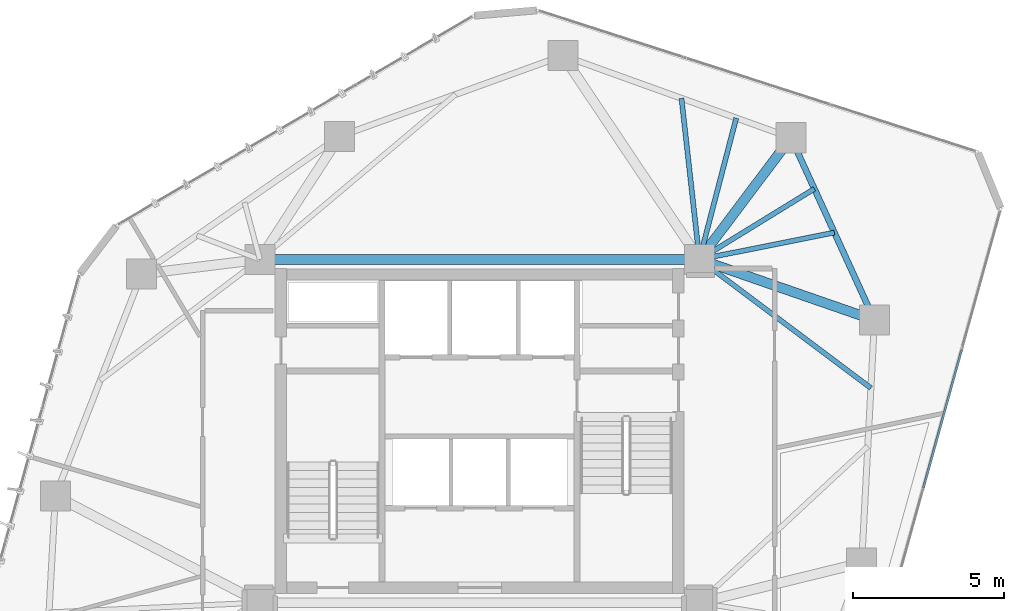
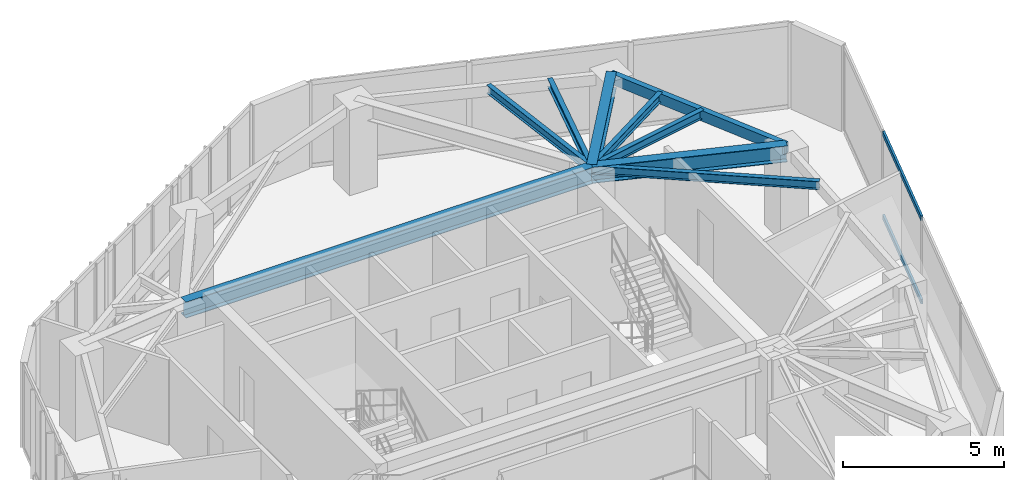
# One storey, part 10 of 19: 9 beams, 2 members, 1 element without a shape of its own.
"""IFC4 building model written with IfcOpenShell, lengths in metres."""

from ifc_helpers import new_model, si_unit, direction, frame, origin, origin_2d, place, context, subcontext, project, spatial, hollow_rectangle, i_section, extrude, source, transform, mapped, material, layer, layer_set, material_profile, profile_set, type_object, type_shapes, element, aggregate, save


model = new_model("IFC4")

# Units and contexts
model_context = context("Model", 3, precision=1e-05, world=origin(), true_north=direction((0.0, 1.0)))
body_context = subcontext(model_context, "Body", "Model", "MODEL_VIEW")
ifc_project = project(units=[si_unit("LENGTHUNIT", "METRE"), si_unit("AREAUNIT", "SQUARE_METRE"), si_unit("VOLUMEUNIT", "CUBIC_METRE"), si_unit("PLANEANGLEUNIT", "RADIAN"), si_unit("MASSUNIT", "GRAM", prefix="KILO")], contexts=[model_context])

# Site, building, storey
site_placement = place(None, origin())
site = spatial("IfcSite", under=ifc_project, at=site_placement, CompositionType="ELEMENT")
building_placement = place(site_placement, origin())
building = spatial("IfcBuilding", under=site, at=building_placement, Name="Talar Marvaseh", CompositionType="ELEMENT")
storey_placement = place(building_placement, frame((0.0, 0.0, 181.0)))
storey = spatial("IfcBuildingStorey", under=building, at=storey_placement, Name="L47", CompositionType="ELEMENT", Elevation=181.0)

# Beams
ifc_material_1 = material(Name="Steel S355", Category="steel")
ifc_material_profile_1 = material_profile(ifc_material_1, hollow_rectangle(XDim=0.199951171875, YDim=0.39990234375, WallThickness=0.013916015625, at=origin_2d()), Name="RHS400x200x14")
ifc_profile_set_1 = profile_set([ifc_material_profile_1], Name="Steel S355")
beam_type_1 = type_object("IfcBeamType", Name="Zone 3 Perimeter Spandrel Beam RHS400x200x14", PredefinedType="SPANDREL", material=ifc_profile_set_1)
beam_1_placement = place(storey_placement, frame((36.341064453125, 40.94189453125, 3.030029296875), z_axis=(0.416090570719, -0.909323175202, 0.0), x_axis=(0.909323175202, 0.416090570719, 0.0)))
element("IfcBeam", 1, at=beam_1_placement, inside=storey, type_object=beam_type_1, Name="L47 Zone 3 Perimeter Spandrel Beam RHS400x200x14", PredefinedType="SPANDREL", context=body_context, shape_type="SweptSolid", body=[
    extrude(hollow_rectangle(XDim=0.199951171875, YDim=0.39990234375, WallThickness=0.013916015625, at=origin_2d()), origin(), (0.0, 0.0, 1.0), 6.661865234375),
])
ifc_material_profile_2 = material_profile(ifc_material_1, i_section(OverallWidth=0.324951171875, OverallDepth=0.615966796875, WebThickness=0.013916015625, FlangeThickness=0.021484375, at=origin_2d()), Name="W610x174")
ifc_profile_set_2 = profile_set([ifc_material_profile_2], Name="Steel S355")
beam_type_2 = type_object("IfcBeamType", Name="Zone 3 Radial Floor Girder W610x174", PredefinedType="BEAM", material=ifc_profile_set_2)
beam_2_placement = place(storey_placement, frame((18.699951171875, 36.89990234375, 2.922119140625), z_axis=(1.0, 0.0, 0.0), x_axis=(0.0, 1.0, 0.0)))
element("IfcBeam", 2, at=beam_2_placement, inside=storey, type_object=beam_type_2, Name="L47 Zone 3 Radial Floor Girder W610x174", PredefinedType="BEAM", context=body_context, shape_type="SweptSolid", body=[
    extrude(i_section(OverallWidth=0.324951171875, OverallDepth=0.615966796875, WebThickness=0.013916015625, FlangeThickness=0.021484375, at=origin_2d()), origin(), (0.0, 0.0, 1.0), 14.60009765625),
])
beam_3_placement = place(storey_placement, frame((36.341064453125, 40.94189453125, 2.922119140625), z_axis=(-0.601204044541, -0.799095549247, 0.0), x_axis=(0.799095549247, -0.601204044541, 0.0)))
element("IfcBeam", 3, at=beam_3_placement, inside=storey, type_object=beam_type_2, Name="L47 Zone 3 Radial Floor Girder W610x174", PredefinedType="BEAM", context=body_context, shape_type="SweptSolid", body=[
    extrude(i_section(OverallWidth=0.324951171875, OverallDepth=0.615966796875, WebThickness=0.013916015625, FlangeThickness=0.021484375, at=origin_2d()), origin(), (0.0, 0.0, 1.0), 5.05810546875),
])
beam_4_placement = place(storey_placement, frame((39.113037109375, 34.884033203125, 2.922119140625), z_axis=(-0.94480098975, 0.327644761544, 0.0), x_axis=(-0.327644761544, -0.94480098975, 0.0)))
element("IfcBeam", 4, at=beam_4_placement, inside=storey, type_object=beam_type_2, Name="L47 Zone 3 Radial Floor Girder W610x174", PredefinedType="BEAM", context=body_context, shape_type="SweptSolid", body=[
    extrude(i_section(OverallWidth=0.324951171875, OverallDepth=0.615966796875, WebThickness=0.013916015625, FlangeThickness=0.021484375, at=origin_2d()), origin(), (0.0, 0.0, 1.0), 6.152587890625),
])
ifc_material_profile_3 = material_profile(ifc_material_1, i_section(OverallWidth=0.166015625, OverallDepth=0.31298828125, WebThickness=0.006591796875, FlangeThickness=0.01123046875, at=origin_2d()), Name="W310x45")
ifc_profile_set_3 = profile_set([ifc_material_profile_3], Name="Steel S355")
beam_type_3 = type_object("IfcBeamType", Name="Zone 3 Secondary Floor Joist W310x45", PredefinedType="JOIST", material=ifc_profile_set_3)
beam_5_placement = place(storey_placement, frame((32.705078125, 42.25048828125, 3.073486328125), z_axis=(0.110516140753, -0.993874329396, 0.0), x_axis=(0.993874329396, 0.110516140753, 0.0)))
element("IfcBeam", 5, at=beam_5_placement, inside=storey, type_object=beam_type_3, Name="L47 Zone 3 Secondary Floor Joist W310x45", PredefinedType="JOIST", context=body_context, shape_type="SweptSolid", body=[
    extrude(i_section(OverallWidth=0.166015625, OverallDepth=0.31298828125, WebThickness=0.006591796875, FlangeThickness=0.01123046875, at=origin_2d()), origin(), (0.0, 0.0, 1.0), 5.383544921875),
])
beam_6_placement = place(storey_placement, frame((34.52294921875, 41.59619140625, 3.073486328125), z_axis=(-0.251993851934, -0.967728835257, 0.0), x_axis=(0.967728835257, -0.251993851934, 0.0)))
element("IfcBeam", 6, at=beam_6_placement, inside=storey, type_object=beam_type_3, Name="L47 Zone 3 Secondary Floor Joist W310x45", PredefinedType="JOIST", context=body_context, shape_type="SweptSolid", body=[
    extrude(i_section(OverallWidth=0.166015625, OverallDepth=0.31298828125, WebThickness=0.006591796875, FlangeThickness=0.01123046875, at=origin_2d()), origin(), (0.0, 0.0, 1.0), 4.852783203125),
])
beam_7_placement = place(storey_placement, frame((37.1171875, 39.245849609375, 3.073486328125), z_axis=(-0.851963133725, -0.52360177499, 0.0), x_axis=(0.52360177499, -0.851963133725, 0.0)))
element("IfcBeam", 7, at=beam_7_placement, inside=storey, type_object=beam_type_3, Name="L47 Zone 3 Secondary Floor Joist W310x45", PredefinedType="JOIST", context=body_context, shape_type="SweptSolid", body=[
    extrude(i_section(OverallWidth=0.166015625, OverallDepth=0.31298828125, WebThickness=0.006591796875, FlangeThickness=0.01123046875, at=origin_2d()), origin(), (0.0, 0.0, 1.0), 4.48046875),
])
beam_8_placement = place(storey_placement, frame((37.782470703125, 37.791748046875, 3.073486328125), z_axis=(-0.980775375356, -0.195140111447, 0.0), x_axis=(0.195140111447, -0.980775375356, 0.0)))
element("IfcBeam", 8, at=beam_8_placement, inside=storey, type_object=beam_type_3, Name="L47 Zone 3 Secondary Floor Joist W310x45", PredefinedType="JOIST", context=body_context, shape_type="SweptSolid", body=[
    extrude(i_section(OverallWidth=0.166015625, OverallDepth=0.31298828125, WebThickness=0.006591796875, FlangeThickness=0.01123046875, at=origin_2d()), origin(), (0.0, 0.0, 1.0), 4.5703125),
])
beam_9_placement = place(storey_placement, frame((38.994384765625, 32.627197265625, 3.073486328125), z_axis=(-0.799868292589, 0.600175569739, 0.0), x_axis=(-0.600175569739, -0.799868292589, 0.0)))
element("IfcBeam", 9, at=beam_9_placement, inside=storey, type_object=beam_type_3, Name="L47 Zone 3 Secondary Floor Joist W310x45", PredefinedType="JOIST", context=body_context, shape_type="SweptSolid", body=[
    extrude(i_section(OverallWidth=0.166015625, OverallDepth=0.31298828125, WebThickness=0.006591796875, FlangeThickness=0.01123046875, at=origin_2d()), origin(), (0.0, 0.0, 1.0), 7.119140625),
])

# Curtain wall, members
ifc_material_2 = material(Name="Architectural Aluminium", Category="aluminium")
ifc_layer = layer(ifc_material_2, 0.18994140625)
ifc_layer_set = layer_set([ifc_layer], Name="Architectural Aluminium")
curtain_wall_type = type_object("IfcCurtainWallType", Name="Unitised Solar Atelier Curtain Wall Z3", PredefinedType="NOTDEFINED", material=ifc_layer_set)
curtain_wall_placement = place(storey_placement, origin())
curtain_wall = element("IfcCurtainWall", 10, at=curtain_wall_placement, inside=storey, type_object=curtain_wall_type, Name="L47 Unitised Solar Atelier Curtain Wall Z3", PredefinedType="NOTDEFINED")
ifc_material_profile_4 = material_profile(ifc_material_2, hollow_rectangle(XDim=0.074951171875, YDim=0.179931640625, WallThickness=0.0048828125, at=origin_2d()), Name="RHS180x75x5")
ifc_profile_set_4 = profile_set([ifc_material_profile_4], Name="Architectural Aluminium")
member_type = type_object("IfcMemberType", Name="Unitised Curtain Wall Transom RHS180x75x5", PredefinedType="USERDEFINED", material=ifc_profile_set_4)
shared_shape = source(origin(), body_context, "Body", "SweptSolid", [
    extrude(hollow_rectangle(XDim=0.074951171875, YDim=0.179931640625, WallThickness=0.0048828125, at=origin_2d()), origin(), (0.0, 0.0, 1.0), 4.7470703125),
])
type_shapes(member_type, [shared_shape])
member_1_placement = place(storey_placement, frame((42.0068359375, 33.8837890625, 0.03759765625), z_axis=(-0.267383904778, -0.963590082694, 0.0), x_axis=(0.963590082694, -0.267383904778, 0.0)))
member_1 = element("IfcMember", 11, at=member_1_placement, type_object=member_type, Name="CW-Z3 transom 2.1", ObjectType="TRANSOM", PredefinedType="USERDEFINED", context=body_context, shape_type="MappedRepresentation", body=[
    mapped(shared_shape, transform((0.0, 0.0, 0.0), x_axis=(1.0, 0.0, 0.0), y_axis=(0.0, 1.0, 0.0), z_axis=(0.0, 0.0, 1.0), scale=1.0)),
])
member_2_placement = place(storey_placement, frame((42.0068359375, 33.8837890625, 3.1923828125), z_axis=(-0.267383904778, -0.963590082694, 0.0), x_axis=(0.963590082694, -0.267383904778, 0.0)))
member_2 = element("IfcMember", 12, at=member_2_placement, type_object=member_type, Name="CW-Z3 transom 2.2", ObjectType="TRANSOM", PredefinedType="USERDEFINED", context=body_context, shape_type="MappedRepresentation", body=[
    mapped(shared_shape, transform((0.0, 0.0, 0.0), x_axis=(1.0, 0.0, 0.0), y_axis=(0.0, 1.0, 0.0), z_axis=(0.0, 0.0, 1.0), scale=1.0)),
])
aggregate(curtain_wall, [member_1, member_2])

save(model, "model.ifc")
